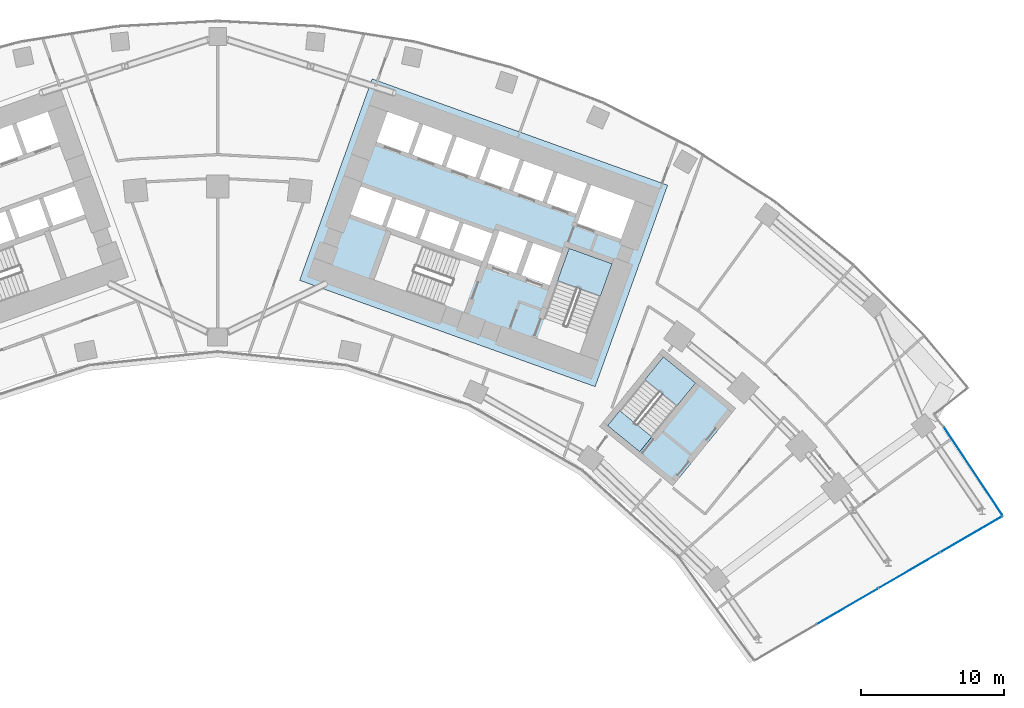
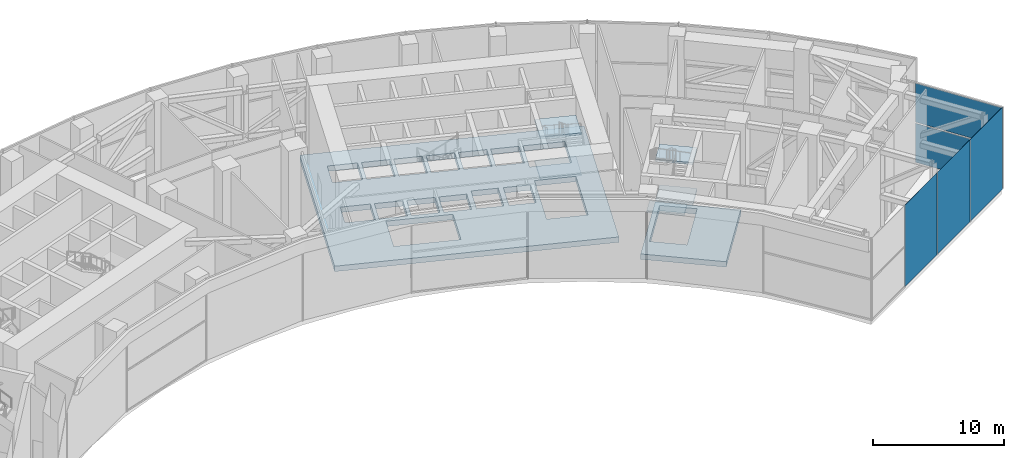
# One storey, part 19 of 33: 7 slabs, 5 plates, 4 elements without a shape of their own.
"""IFC4 building model written with IfcOpenShell, lengths in metres."""

from ifc_helpers import new_model, si_unit, direction, frame, origin, origin_2d, place, context, subcontext, project, spatial, polyline, rectangle, outline, extrude, material, layer, layer_set, type_object, element, aggregate, save


model = new_model("IFC4")

# Units and contexts
model_context = context("Model", 3, precision=1e-05, world=origin(), true_north=direction((0.0, 1.0)))
body_context = subcontext(model_context, "Body", "Model", "MODEL_VIEW")
ifc_project = project(units=[si_unit("LENGTHUNIT", "METRE"), si_unit("AREAUNIT", "SQUARE_METRE"), si_unit("VOLUMEUNIT", "CUBIC_METRE"), si_unit("PLANEANGLEUNIT", "RADIAN"), si_unit("MASSUNIT", "GRAM", prefix="KILO")], contexts=[model_context])

# Site, building, storey
site_placement = place(None, origin())
site = spatial("IfcSite", under=ifc_project, at=site_placement, CompositionType="ELEMENT")
building_placement = place(site_placement, origin())
building = spatial("IfcBuilding", under=site, at=building_placement, Name="Stone Belt Terrace Tower", CompositionType="ELEMENT")
storey_placement = place(building_placement, frame((0.0, 0.0, 79.39990234375)))
storey = spatial("IfcBuildingStorey", under=building, at=storey_placement, Name="L19", CompositionType="ELEMENT", Elevation=79.39990234375)

# Curtain wall, plates
ifc_material_1 = material(Name="Aluminium 6063-T6 anodised frame", Category="aluminium")
ifc_layer_1 = layer(ifc_material_1, 0.14990234375)
ifc_layer_set_1 = layer_set([ifc_layer_1], Name="CW-C stick curtain wall, horn ends and notches")
curtain_wall_type = type_object("IfcCurtainWallType", Name="CW-C stick curtain wall, horn ends and notches", PredefinedType="NOTDEFINED", material=ifc_layer_set_1)
curtain_wall_1_placement = place(storey_placement, origin())
curtain_wall_1 = element("IfcCurtainWall", 1, at=curtain_wall_1_placement, inside=storey, type_object=curtain_wall_type, Name="CW-C end face L19", PredefinedType="NOTDEFINED")
ifc_material_2 = material(Name="Terracotta coloured glazed ceramic", Category="masonry")
ifc_layer_2 = layer(ifc_material_2, 0.028076171875)
ifc_layer_set_2 = layer_set([ifc_layer_2], Name="CW-C ceramic louvre panel 28")
plate_type = type_object("IfcPlateType", Name="CW-C ceramic louvre panel 28", PredefinedType="CURTAIN_PANEL", material=ifc_layer_set_2)
plate_1_placement = place(storey_placement, frame((44.114013671875, 25.59228515625, 0.0), z_axis=(0.0, 0.0, 1.0), x_axis=(0.864239322284, 0.503080901861, 0.0)))
plate_1 = element("IfcPlate", 2, at=plate_1_placement, type_object=plate_type, Name="CW-C louvre panel 2.1", PredefinedType="CURTAIN_PANEL", context=body_context, shape_type="SweptSolid", body=[
    extrude(rectangle(XDim=4.93994140625, YDim=0.028076171875, at=origin_2d()), origin(), (0.0, 0.0, 1.0), 7.60009765625),
])
plate_2_placement = place(storey_placement, frame((48.43505859375, 28.107666015625, 0.0), z_axis=(0.0, 0.0, 1.0), x_axis=(0.864239322284, 0.503080901861, 0.0)))
plate_2 = element("IfcPlate", 3, at=plate_2_placement, type_object=plate_type, Name="CW-C louvre panel 3.1", PredefinedType="CURTAIN_PANEL", context=body_context, shape_type="SweptSolid", body=[
    extrude(rectangle(XDim=4.93994140625, YDim=0.028076171875, at=origin_2d()), origin(), (0.0, 0.0, 1.0), 7.60009765625),
])
plate_3_placement = place(storey_placement, frame((52.771240234375, 30.6318359375, 0.0), z_axis=(0.0, 0.0, 1.0), x_axis=(0.864239322284, 0.503080901861, 0.0)))
plate_3 = element("IfcPlate", 4, at=plate_3_placement, type_object=plate_type, Name="CW-C louvre panel 4.1", PredefinedType="CURTAIN_PANEL", context=body_context, shape_type="SweptSolid", body=[
    extrude(rectangle(XDim=4.974365234375, YDim=0.028076171875, at=origin_2d()), origin(), (0.0, 0.0, 1.0), 7.60009765625),
])
aggregate(curtain_wall_1, [plate_1, plate_2, plate_3])

curtain_wall_2_placement = place(storey_placement, origin())
curtain_wall_2 = element("IfcCurtainWall", 5, at=curtain_wall_2_placement, inside=storey, type_object=curtain_wall_type, Name="CW-C notch face L19", PredefinedType="NOTDEFINED")
plate_4_placement = place(storey_placement, frame((52.9111328125, 35.050537109375, 0.1201171875), z_axis=(0.0, 0.0, 1.0), x_axis=(-0.5524842973, 0.833523305755, 0.0)))
plate_4 = element("IfcPlate", 6, at=plate_4_placement, type_object=plate_type, Name="CW-C louvre panel 1.1", PredefinedType="CURTAIN_PANEL", context=body_context, shape_type="SweptSolid", body=[
    extrude(rectangle(XDim=7.359375, YDim=0.028076171875, at=origin_2d()), origin(), (0.0, 0.0, 1.0), 3.6201171875),
])
plate_5_placement = place(storey_placement, frame((52.9111328125, 35.050537109375, 3.860107421875), z_axis=(0.0, 0.0, 1.0), x_axis=(-0.5524842973, 0.833523305755, 0.0)))
plate_5 = element("IfcPlate", 7, at=plate_5_placement, type_object=plate_type, Name="CW-C louvre panel 1.2", PredefinedType="CURTAIN_PANEL", context=body_context, shape_type="SweptSolid", body=[
    extrude(rectangle(XDim=7.359375, YDim=0.028076171875, at=origin_2d()), origin(), (0.0, 0.0, 1.0), 3.6201171875),
])
aggregate(curtain_wall_2, [plate_4, plate_5])

# Slabs
ifc_material_3 = material(Name="Concrete B40", Category="concrete")
ifc_layer_3 = layer(ifc_material_3, 0.5)
ifc_layer_set_3 = layer_set([ifc_layer_3], Name="Core floor slab 500")
slab_type_1 = type_object("IfcSlabType", Name="Core floor slab 500", PredefinedType="FLOOR", material=ifc_layer_set_3)
slab_1_placement = place(storey_placement, frame((0.0, 0.0, -0.5)))
element("IfcSlab", 8, at=slab_1_placement, inside=storey, type_object=slab_type_1, Name="Core B floor L19", PredefinedType="FLOOR", context=body_context, shape_type="SweptSolid", body=[
    extrude(outline(polyline([(26.43505859375, 40.968994140625), (31.513916015625, 55.0830078125), (10.81396484375, 62.531982421875), (5.735107421875, 48.4189453125), (26.43505859375, 40.968994140625)]), holes=[polyline([(12.10595703125, 51.652099609375), (16.998046875, 49.89208984375), (15.846923828125, 46.69189453125), (10.955078125, 48.452880859375), (12.10595703125, 51.652099609375)]), polyline([(18.5458984375, 49.760009765625), (16.52294921875, 50.488037109375), (17.217041015625, 52.4169921875), (19.239990234375, 51.68896484375), (18.5458984375, 49.760009765625)]), polyline([(14.169921875, 51.333984375), (14.864013671875, 53.262939453125), (16.93408203125, 52.51806640625), (16.239990234375, 50.589111328125), (14.169921875, 51.333984375)]), polyline([(14.58203125, 53.364990234375), (13.887939453125, 51.43603515625), (11.864990234375, 52.1640625), (11.847900390625, 52.116943359375), (11.801025390625, 52.134033203125), (12.511962890625, 54.110107421875), (14.58203125, 53.364990234375)]), polyline([(9.30810546875, 53.031005859375), (10.01904296875, 55.007080078125), (12.22998046875, 54.2109375), (11.51904296875, 52.235107421875), (9.30810546875, 53.031005859375)]), polyline([(16.743896484375, 58.485107421875), (18.81396484375, 57.739990234375), (18.052001953125, 55.623046875), (15.98193359375, 56.367919921875), (16.743896484375, 58.485107421875)]), polyline([(14.39111328125, 59.33203125), (16.4609375, 58.5869140625), (15.699951171875, 56.469970703125), (13.6298828125, 57.215087890625), (14.39111328125, 59.33203125)]), polyline([(11.89794921875, 60.22900390625), (14.10888671875, 59.43408203125), (13.346923828125, 57.31591796875), (11.135986328125, 58.112060546875), (11.89794921875, 60.22900390625)]), polyline([(25.85888671875, 44.68408203125), (22.847900390625, 45.76806640625), (24.60791015625, 50.659912109375), (27.618896484375, 49.575927734375), (25.85888671875, 44.68408203125)]), polyline([(21.27392578125, 48.778076171875), (22.0869140625, 51.035888671875), (24.06298828125, 50.324951171875), (23.25, 48.06689453125), (21.27392578125, 48.778076171875)]), polyline([(19.735107421875, 51.883056640625), (21.7109375, 51.1708984375), (20.89794921875, 48.9130859375), (18.922119140625, 49.6240234375), (19.735107421875, 51.883056640625)]), polyline([(29.2109375, 53.9990234375), (28.24609375, 51.31689453125), (25.18798828125, 52.41796875), (26.153076171875, 55.09912109375), (29.2109375, 53.9990234375)]), polyline([(23.801025390625, 55.946044921875), (25.87109375, 55.200927734375), (25.10888671875, 53.083984375), (23.0390625, 53.8291015625), (23.801025390625, 55.946044921875)]), polyline([(21.447998046875, 56.7919921875), (23.51806640625, 56.047119140625), (22.756103515625, 53.929931640625), (20.68603515625, 54.675048828125), (21.447998046875, 56.7919921875)]), polyline([(19.095947265625, 57.638916015625), (21.166015625, 56.89404296875), (20.404052734375, 54.777099609375), (18.333984375, 55.52197265625), (19.095947265625, 57.638916015625)])]), origin(), (0.0, 0.0, 1.0), 0.5),
])
slab_2_placement = place(storey_placement, frame((0.0, 0.0, -0.5)))
element("IfcSlab", 9, at=slab_2_placement, inside=storey, type_object=slab_type_1, Name="Exit stair ST3B floor L19", PredefinedType="FLOOR", context=body_context, shape_type="SweptSolid", body=[
    extrude(outline(polyline([(26.741943359375, 38.18408203125), (31.866943359375, 34.02392578125), (36.278076171875, 39.458984375), (31.154052734375, 43.618896484375), (26.741943359375, 38.18408203125)]), holes=[polyline([(30.407958984375, 37.462890625), (28.156005859375, 39.291015625), (31.2119140625, 43.055908203125), (33.464111328125, 41.22802734375), (30.407958984375, 37.462890625)])]), origin(), (0.0, 0.0, 1.0), 0.5),
])

# Stair, slabs
stair_type = type_object("IfcStairType", Name="Exit stair 1500", PredefinedType="HALF_TURN_STAIR", material=ifc_material_3)
stair_1_placement = place(storey_placement, origin())
stair_1 = element("IfcStair", 10, at=stair_1_placement, inside=storey, type_object=stair_type, Name="L19 Exit stair 1 core B", PredefinedType="HALF_TURN_STAIR")
ifc_layer_4 = layer(ifc_material_3, 0.199951171875)
ifc_layer_set_4 = layer_set([ifc_layer_4], Name="Stair landing 200")
slab_type_2 = type_object("IfcSlabType", Name="Stair landing 200", PredefinedType="LANDING", material=ifc_layer_set_4)
slab_3_placement = place(storey_placement, frame((0.0, 0.0, 1.7001953125)))
slab_3 = element("IfcSlab", 11, at=slab_3_placement, type_object=slab_type_2, Name="ST1B landing 1", PredefinedType="LANDING", context=body_context, shape_type="SweptSolid", body=[
    extrude(outline(polyline([(26.806396484375, 47.3173828125), (27.619384765625, 49.576171875), (24.6083984375, 50.659912109375), (23.79541015625, 48.40087890625), (26.806396484375, 47.3173828125)])), origin(), (0.0, 0.0, 1.0), 0.199951171875),
])
slab_4_placement = place(storey_placement, frame((0.0, 0.0, 5.5)))
slab_4 = element("IfcSlab", 12, at=slab_4_placement, type_object=slab_type_2, Name="ST1B landing 3", PredefinedType="LANDING", context=body_context, shape_type="SweptSolid", body=[
    extrude(outline(polyline([(26.806396484375, 47.3173828125), (27.619384765625, 49.576171875), (24.6083984375, 50.659912109375), (23.79541015625, 48.40087890625), (26.806396484375, 47.3173828125)])), origin(), (0.0, 0.0, 1.0), 0.2001953125),
])
aggregate(stair_1, [slab_3, slab_4])

stair_2_placement = place(storey_placement, origin())
stair_2 = element("IfcStair", 13, at=stair_2_placement, inside=storey, type_object=stair_type, Name="L19 Exit stair 3B", PredefinedType="HALF_TURN_STAIR")
slab_5_placement = place(storey_placement, frame((0.0, 0.0, 1.7001953125)))
slab_5 = element("IfcSlab", 14, at=slab_5_placement, type_object=slab_type_2, Name="ST3B landing 1", PredefinedType="LANDING", context=body_context, shape_type="SweptSolid", body=[
    extrude(outline(polyline([(32.17138671875, 39.635986328125), (33.4638671875, 41.228271484375), (31.21240234375, 43.055908203125), (29.919921875, 41.463623046875), (32.17138671875, 39.635986328125)])), origin(), (0.0, 0.0, 1.0), 0.199951171875),
])
slab_6_placement = place(storey_placement, frame((0.0, 0.0, 3.60009765625)))
slab_6 = element("IfcSlab", 15, at=slab_6_placement, type_object=slab_type_2, Name="ST3B landing 2", PredefinedType="LANDING", context=body_context, shape_type="SweptSolid", body=[
    extrude(outline(polyline([(29.556640625, 36.41455078125), (30.407958984375, 37.46337890625), (28.15625, 39.290771484375), (27.304931640625, 38.2421875), (29.556640625, 36.41455078125)])), origin(), (0.0, 0.0, 1.0), 0.199951171875),
])
slab_7_placement = place(storey_placement, frame((0.0, 0.0, 5.5)))
slab_7 = element("IfcSlab", 16, at=slab_7_placement, type_object=slab_type_2, Name="ST3B landing 3", PredefinedType="LANDING", context=body_context, shape_type="SweptSolid", body=[
    extrude(outline(polyline([(32.17138671875, 39.635986328125), (33.4638671875, 41.228271484375), (31.21240234375, 43.055908203125), (29.919921875, 41.463623046875), (32.17138671875, 39.635986328125)])), origin(), (0.0, 0.0, 1.0), 0.2001953125),
])
aggregate(stair_2, [slab_5, slab_6, slab_7])

save(model, "model.ifc")
